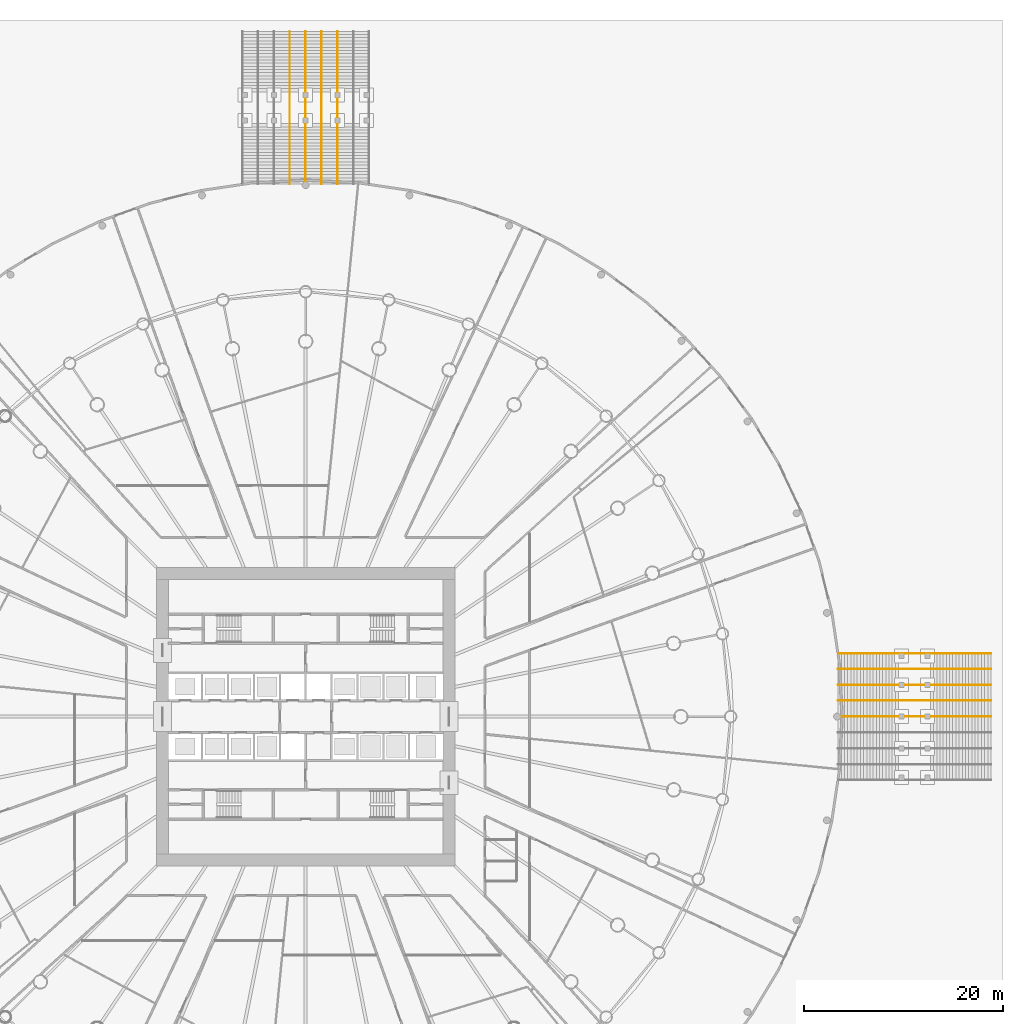
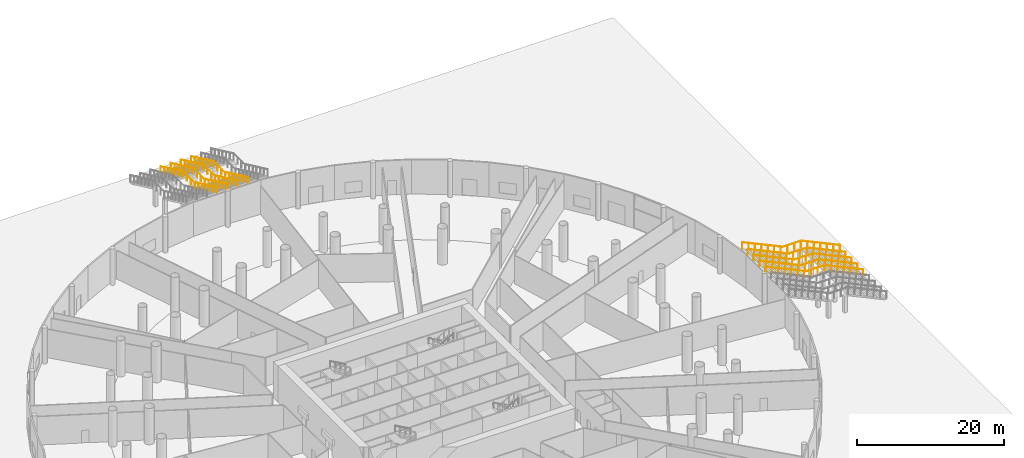
# One storey, part 31 of 33: 9 railings.
"""IFC4 building model written with IfcOpenShell, lengths in metres."""

from ifc_helpers import new_model, si_unit, direction, frame, origin, origin_2d, place, context, subcontext, project, spatial, circle, extrude, material, type_object, element, save


model = new_model("IFC4")

# Units and contexts
model_context = context("Model", 3, precision=1e-05, world=origin(), true_north=direction((0.0, 1.0)))
body_context = subcontext(model_context, "Body", "Model", "MODEL_VIEW")
ifc_project = project(units=[si_unit("LENGTHUNIT", "METRE"), si_unit("AREAUNIT", "SQUARE_METRE"), si_unit("VOLUMEUNIT", "CUBIC_METRE"), si_unit("PLANEANGLEUNIT", "RADIAN"), si_unit("MASSUNIT", "GRAM", prefix="KILO")], contexts=[model_context])

# Site, building, storey
site_placement = place(None, origin())
site = spatial("IfcSite", under=ifc_project, at=site_placement, CompositionType="ELEMENT")
building_placement = place(site_placement, origin())
building = spatial("IfcBuilding", under=site, at=building_placement, Name="Corvane Civic Tower", CompositionType="ELEMENT")
storey_placement = place(building_placement, origin())
storey = spatial("IfcBuildingStorey", under=building, at=storey_placement, Name="G", CompositionType="ELEMENT", Elevation=0.0)

# Railings
ifc_material_1 = material(Name="Steel ASTM A572 Gr 50", Category="steel")
railing_type_1 = type_object("IfcRailingType", Name="PODIUM-RL-GUARD-1100", PredefinedType="GUARDRAIL", material=ifc_material_1)
railing_1_placement = place(storey_placement, frame((68.860107421875, 6.35009765625, 0.14990234375)))
element("IfcRailing", 1, at=railing_1_placement, inside=storey, type_object=railing_type_1, Name="East stair right guard", PredefinedType="GUARDRAIL", context=body_context, shape_type="SweptSolid", body=[
    extrude(circle(Radius=0.02392578125, at=origin_2d()), frame((0.0, 0.0, 1.076171875), z_axis=(-0.905455442782, 0.0, 0.424441328262), x_axis=(0.0, -1.0, 0.0)), (0.0, 0.0, 1.0), 6.71484375),
    extrude(circle(Radius=0.02392578125, at=origin_2d()), frame((-6.080078125, 0.0, 3.92626953125), z_axis=(-1.0, 0.0, 0.0), x_axis=(0.0, -1.0, 0.0)), (0.0, 0.0, 1.0), 3.199951171875),
    extrude(circle(Radius=0.02392578125, at=origin_2d()), frame((-9.280029296875, 0.0, 3.92626953125), z_axis=(0.0, 0.0, 1.0), x_axis=(1.0, 0.0, 0.0)), (0.0, 0.0, 1.0), 0.14990234375),
    extrude(circle(Radius=0.02392578125, at=origin_2d()), frame((-9.280029296875, 0.0, 4.076171875), z_axis=(-0.905454092966, 0.0, 0.424444207796), x_axis=(0.0, -1.0, 0.0)), (0.0, 0.0, 1.0), 6.65966796875),
    extrude(circle(Radius=0.02099609375, at=origin_2d()), origin(), (0.0, 0.0, 1.0), 1.052001953125),
    extrude(circle(Radius=0.02099609375, at=origin_2d()), frame((-1.013427734375, 0.0, 0.47509765625)), (0.0, 0.0, 1.0), 1.052001953125),
    extrude(circle(Radius=0.02099609375, at=origin_2d()), frame((-2.026611328125, 0.0, 0.949951171875)), (0.0, 0.0, 1.0), 1.052001953125),
    extrude(circle(Radius=0.02099609375, at=origin_2d()), frame((-3.0400390625, 0.0, 1.425048828125)), (0.0, 0.0, 1.0), 1.052001953125),
    extrude(circle(Radius=0.02099609375, at=origin_2d()), frame((-4.053466796875, 0.0, 1.900146484375)), (0.0, 0.0, 1.0), 1.052001953125),
    extrude(circle(Radius=0.02099609375, at=origin_2d()), frame((-5.066650390625, 0.0, 2.375)), (0.0, 0.0, 1.0), 1.052001953125),
    extrude(circle(Radius=0.02099609375, at=origin_2d()), frame((-6.080078125, 0.0, 2.85009765625)), (0.0, 0.0, 1.0), 1.052001953125),
    extrude(circle(Radius=0.02099609375, at=origin_2d()), frame((-7.146728515625, 0.0, 2.85009765625)), (0.0, 0.0, 1.0), 1.052001953125),
    extrude(circle(Radius=0.02099609375, at=origin_2d()), frame((-8.21337890625, 0.0, 2.85009765625)), (0.0, 0.0, 1.0), 1.052001953125),
    extrude(circle(Radius=0.02099609375, at=origin_2d()), frame((-9.280029296875, 0.0, 2.85009765625)), (0.0, 0.0, 1.0), 1.052001953125),
    extrude(circle(Radius=0.02099609375, at=origin_2d()), frame((-9.280029296875, 0.0, 3.0)), (0.0, 0.0, 1.0), 1.052001953125),
    extrude(circle(Radius=0.02099609375, at=origin_2d()), frame((-10.28515625, 0.0, 3.47119140625)), (0.0, 0.0, 1.0), 1.052001953125),
    extrude(circle(Radius=0.02099609375, at=origin_2d()), frame((-11.2900390625, 0.0, 3.942138671875)), (0.0, 0.0, 1.0), 1.052001953125),
    extrude(circle(Radius=0.02099609375, at=origin_2d()), frame((-12.294921875, 0.0, 4.413330078125)), (0.0, 0.0, 1.0), 1.052001953125),
    extrude(circle(Radius=0.02099609375, at=origin_2d()), frame((-13.300048828125, 0.0, 4.884521484375)), (0.0, 0.0, 1.0), 1.052001953125),
    extrude(circle(Radius=0.02099609375, at=origin_2d()), frame((-14.30517578125, 0.0, 5.35546875)), (0.0, 0.0, 1.0), 1.052001953125),
    extrude(circle(Radius=0.02099609375, at=origin_2d()), frame((-15.31005859375, 0.0, 5.82666015625)), (0.0, 0.0, 1.0), 1.052001953125),
])
ifc_material_2 = material(Name="Steel ASTM A572 Gr 50", Category="steel")
railing_type_2 = type_object("IfcRailingType", Name="PODIUM-RL-HANDRAIL-900", PredefinedType="HANDRAIL", material=ifc_material_2)
railing_2_placement = place(storey_placement, frame((3.199951171875, 68.860107421875, 0.14990234375)))
element("IfcRailing", 2, at=railing_2_placement, inside=storey, type_object=railing_type_2, Name="North stair handrail 2", PredefinedType="HANDRAIL", context=body_context, shape_type="SweptSolid", body=[
    extrude(circle(Radius=0.02392578125, at=origin_2d()), frame((0.0, 0.0, 0.8759765625), z_axis=(0.0, -0.905455442782, 0.424441328262), x_axis=(1.0, 0.0, 0.0)), (0.0, 0.0, 1.0), 6.71484375),
    extrude(circle(Radius=0.02392578125, at=origin_2d()), frame((0.0, -6.080078125, 3.72607421875), z_axis=(0.0, -1.0, 0.0), x_axis=(1.0, 0.0, 0.0)), (0.0, 0.0, 1.0), 3.199951171875),
    extrude(circle(Radius=0.02392578125, at=origin_2d()), frame((0.0, -9.280029296875, 3.72607421875), z_axis=(0.0, 0.0, 1.0), x_axis=(1.0, 0.0, 0.0)), (0.0, 0.0, 1.0), 0.14990234375),
    extrude(circle(Radius=0.02392578125, at=origin_2d()), frame((0.0, -9.280029296875, 3.8759765625), z_axis=(0.0, -0.905455442782, 0.424441328262), x_axis=(1.0, 0.0, 0.0)), (0.0, 0.0, 1.0), 6.71484375),
    extrude(circle(Radius=0.02099609375, at=origin_2d()), origin(), (0.0, 0.0, 1.0), 0.851806640625),
    extrude(circle(Radius=0.02099609375, at=origin_2d()), frame((0.0, -1.013427734375, 0.47509765625)), (0.0, 0.0, 1.0), 0.851806640625),
    extrude(circle(Radius=0.02099609375, at=origin_2d()), frame((0.0, -2.026611328125, 0.949951171875)), (0.0, 0.0, 1.0), 0.851806640625),
    extrude(circle(Radius=0.02099609375, at=origin_2d()), frame((0.0, -3.0400390625, 1.425048828125)), (0.0, 0.0, 1.0), 0.851806640625),
    extrude(circle(Radius=0.02099609375, at=origin_2d()), frame((0.0, -4.053466796875, 1.900146484375)), (0.0, 0.0, 1.0), 0.851806640625),
    extrude(circle(Radius=0.02099609375, at=origin_2d()), frame((0.0, -5.066650390625, 2.375)), (0.0, 0.0, 1.0), 0.851806640625),
    extrude(circle(Radius=0.02099609375, at=origin_2d()), frame((0.0, -6.080078125, 2.85009765625)), (0.0, 0.0, 1.0), 0.851806640625),
    extrude(circle(Radius=0.02099609375, at=origin_2d()), frame((0.0, -7.146728515625, 2.85009765625)), (0.0, 0.0, 1.0), 0.851806640625),
    extrude(circle(Radius=0.02099609375, at=origin_2d()), frame((0.0, -8.21337890625, 2.85009765625)), (0.0, 0.0, 1.0), 0.851806640625),
    extrude(circle(Radius=0.02099609375, at=origin_2d()), frame((0.0, -9.280029296875, 2.85009765625)), (0.0, 0.0, 1.0), 0.851806640625),
    extrude(circle(Radius=0.02099609375, at=origin_2d()), frame((0.0, -9.280029296875, 3.0)), (0.0, 0.0, 1.0), 0.851806640625),
    extrude(circle(Radius=0.02099609375, at=origin_2d()), frame((0.0, -10.29345703125, 3.47509765625)), (0.0, 0.0, 1.0), 0.851806640625),
    extrude(circle(Radius=0.02099609375, at=origin_2d()), frame((0.0, -11.306640625, 3.949951171875)), (0.0, 0.0, 1.0), 0.851806640625),
    extrude(circle(Radius=0.02099609375, at=origin_2d()), frame((0.0, -12.320068359375, 4.425048828125)), (0.0, 0.0, 1.0), 0.851806640625),
    extrude(circle(Radius=0.02099609375, at=origin_2d()), frame((0.0, -13.33349609375, 4.900146484375)), (0.0, 0.0, 1.0), 0.851806640625),
    extrude(circle(Radius=0.02099609375, at=origin_2d()), frame((0.0, -14.3466796875, 5.375)), (0.0, 0.0, 1.0), 0.851806640625),
    extrude(circle(Radius=0.02099609375, at=origin_2d()), frame((0.0, -15.360107421875, 5.85009765625)), (0.0, 0.0, 1.0), 0.851806640625),
])
railing_3_placement = place(storey_placement, frame((1.60009765625, 68.860107421875, 0.14990234375)))
element("IfcRailing", 3, at=railing_3_placement, inside=storey, type_object=railing_type_2, Name="North stair handrail 3", PredefinedType="HANDRAIL", context=body_context, shape_type="SweptSolid", body=[
    extrude(circle(Radius=0.02392578125, at=origin_2d()), frame((0.0, 0.0, 0.8759765625), z_axis=(0.0, -0.905455442782, 0.424441328262), x_axis=(1.0, 0.0, 0.0)), (0.0, 0.0, 1.0), 6.71484375),
    extrude(circle(Radius=0.02392578125, at=origin_2d()), frame((0.0, -6.080078125, 3.72607421875), z_axis=(0.0, -1.0, 0.0), x_axis=(1.0, 0.0, 0.0)), (0.0, 0.0, 1.0), 3.199951171875),
    extrude(circle(Radius=0.02392578125, at=origin_2d()), frame((0.0, -9.280029296875, 3.72607421875), z_axis=(0.0, 0.0, 1.0), x_axis=(1.0, 0.0, 0.0)), (0.0, 0.0, 1.0), 0.14990234375),
    extrude(circle(Radius=0.02392578125, at=origin_2d()), frame((0.0, -9.280029296875, 3.8759765625), z_axis=(0.0, -0.905455442782, 0.424441328262), x_axis=(1.0, 0.0, 0.0)), (0.0, 0.0, 1.0), 6.71484375),
    extrude(circle(Radius=0.02099609375, at=origin_2d()), origin(), (0.0, 0.0, 1.0), 0.851806640625),
    extrude(circle(Radius=0.02099609375, at=origin_2d()), frame((0.0, -1.013427734375, 0.47509765625)), (0.0, 0.0, 1.0), 0.851806640625),
    extrude(circle(Radius=0.02099609375, at=origin_2d()), frame((0.0, -2.026611328125, 0.949951171875)), (0.0, 0.0, 1.0), 0.851806640625),
    extrude(circle(Radius=0.02099609375, at=origin_2d()), frame((0.0, -3.0400390625, 1.425048828125)), (0.0, 0.0, 1.0), 0.851806640625),
    extrude(circle(Radius=0.02099609375, at=origin_2d()), frame((0.0, -4.053466796875, 1.900146484375)), (0.0, 0.0, 1.0), 0.851806640625),
    extrude(circle(Radius=0.02099609375, at=origin_2d()), frame((0.0, -5.066650390625, 2.375)), (0.0, 0.0, 1.0), 0.851806640625),
    extrude(circle(Radius=0.02099609375, at=origin_2d()), frame((0.0, -6.080078125, 2.85009765625)), (0.0, 0.0, 1.0), 0.851806640625),
    extrude(circle(Radius=0.02099609375, at=origin_2d()), frame((0.0, -7.146728515625, 2.85009765625)), (0.0, 0.0, 1.0), 0.851806640625),
    extrude(circle(Radius=0.02099609375, at=origin_2d()), frame((0.0, -8.21337890625, 2.85009765625)), (0.0, 0.0, 1.0), 0.851806640625),
    extrude(circle(Radius=0.02099609375, at=origin_2d()), frame((0.0, -9.280029296875, 2.85009765625)), (0.0, 0.0, 1.0), 0.851806640625),
    extrude(circle(Radius=0.02099609375, at=origin_2d()), frame((0.0, -9.280029296875, 3.0)), (0.0, 0.0, 1.0), 0.851806640625),
    extrude(circle(Radius=0.02099609375, at=origin_2d()), frame((0.0, -10.29345703125, 3.47509765625)), (0.0, 0.0, 1.0), 0.851806640625),
    extrude(circle(Radius=0.02099609375, at=origin_2d()), frame((0.0, -11.306640625, 3.949951171875)), (0.0, 0.0, 1.0), 0.851806640625),
    extrude(circle(Radius=0.02099609375, at=origin_2d()), frame((0.0, -12.320068359375, 4.425048828125)), (0.0, 0.0, 1.0), 0.851806640625),
    extrude(circle(Radius=0.02099609375, at=origin_2d()), frame((0.0, -13.33349609375, 4.900146484375)), (0.0, 0.0, 1.0), 0.851806640625),
    extrude(circle(Radius=0.02099609375, at=origin_2d()), frame((0.0, -14.3466796875, 5.375)), (0.0, 0.0, 1.0), 0.851806640625),
    extrude(circle(Radius=0.02099609375, at=origin_2d()), frame((0.0, -15.360107421875, 5.85009765625)), (0.0, 0.0, 1.0), 0.851806640625),
])
railing_4_placement = place(storey_placement, frame((0.0, 68.860107421875, 0.14990234375)))
element("IfcRailing", 4, at=railing_4_placement, inside=storey, type_object=railing_type_2, Name="North stair handrail 4", PredefinedType="HANDRAIL", context=body_context, shape_type="SweptSolid", body=[
    extrude(circle(Radius=0.02392578125, at=origin_2d()), frame((0.0, 0.0, 0.8759765625), z_axis=(0.0, -0.905455442782, 0.424441328262), x_axis=(1.0, 0.0, 0.0)), (0.0, 0.0, 1.0), 6.71484375),
    extrude(circle(Radius=0.02392578125, at=origin_2d()), frame((0.0, -6.080078125, 3.72607421875), z_axis=(0.0, -1.0, 0.0), x_axis=(1.0, 0.0, 0.0)), (0.0, 0.0, 1.0), 3.199951171875),
    extrude(circle(Radius=0.02392578125, at=origin_2d()), frame((0.0, -9.280029296875, 3.72607421875), z_axis=(0.0, 0.0, 1.0), x_axis=(1.0, 0.0, 0.0)), (0.0, 0.0, 1.0), 0.14990234375),
    extrude(circle(Radius=0.02392578125, at=origin_2d()), frame((0.0, -9.280029296875, 3.8759765625), z_axis=(0.0, -0.905455442782, 0.424441328262), x_axis=(1.0, 0.0, 0.0)), (0.0, 0.0, 1.0), 6.71484375),
    extrude(circle(Radius=0.02099609375, at=origin_2d()), origin(), (0.0, 0.0, 1.0), 0.851806640625),
    extrude(circle(Radius=0.02099609375, at=origin_2d()), frame((0.0, -1.013427734375, 0.47509765625)), (0.0, 0.0, 1.0), 0.851806640625),
    extrude(circle(Radius=0.02099609375, at=origin_2d()), frame((0.0, -2.026611328125, 0.949951171875)), (0.0, 0.0, 1.0), 0.851806640625),
    extrude(circle(Radius=0.02099609375, at=origin_2d()), frame((0.0, -3.0400390625, 1.425048828125)), (0.0, 0.0, 1.0), 0.851806640625),
    extrude(circle(Radius=0.02099609375, at=origin_2d()), frame((0.0, -4.053466796875, 1.900146484375)), (0.0, 0.0, 1.0), 0.851806640625),
    extrude(circle(Radius=0.02099609375, at=origin_2d()), frame((0.0, -5.066650390625, 2.375)), (0.0, 0.0, 1.0), 0.851806640625),
    extrude(circle(Radius=0.02099609375, at=origin_2d()), frame((0.0, -6.080078125, 2.85009765625)), (0.0, 0.0, 1.0), 0.851806640625),
    extrude(circle(Radius=0.02099609375, at=origin_2d()), frame((0.0, -7.146728515625, 2.85009765625)), (0.0, 0.0, 1.0), 0.851806640625),
    extrude(circle(Radius=0.02099609375, at=origin_2d()), frame((0.0, -8.21337890625, 2.85009765625)), (0.0, 0.0, 1.0), 0.851806640625),
    extrude(circle(Radius=0.02099609375, at=origin_2d()), frame((0.0, -9.280029296875, 2.85009765625)), (0.0, 0.0, 1.0), 0.851806640625),
    extrude(circle(Radius=0.02099609375, at=origin_2d()), frame((0.0, -9.280029296875, 3.0)), (0.0, 0.0, 1.0), 0.851806640625),
    extrude(circle(Radius=0.02099609375, at=origin_2d()), frame((0.0, -10.29345703125, 3.47509765625)), (0.0, 0.0, 1.0), 0.851806640625),
    extrude(circle(Radius=0.02099609375, at=origin_2d()), frame((0.0, -11.306640625, 3.949951171875)), (0.0, 0.0, 1.0), 0.851806640625),
    extrude(circle(Radius=0.02099609375, at=origin_2d()), frame((0.0, -12.320068359375, 4.425048828125)), (0.0, 0.0, 1.0), 0.851806640625),
    extrude(circle(Radius=0.02099609375, at=origin_2d()), frame((0.0, -13.33349609375, 4.900146484375)), (0.0, 0.0, 1.0), 0.851806640625),
    extrude(circle(Radius=0.02099609375, at=origin_2d()), frame((0.0, -14.3466796875, 5.375)), (0.0, 0.0, 1.0), 0.851806640625),
    extrude(circle(Radius=0.02099609375, at=origin_2d()), frame((0.0, -15.360107421875, 5.85009765625)), (0.0, 0.0, 1.0), 0.851806640625),
])
railing_5_placement = place(storey_placement, frame((-1.60009765625, 68.860107421875, 0.14990234375)))
element("IfcRailing", 5, at=railing_5_placement, inside=storey, type_object=railing_type_2, Name="North stair handrail 5", PredefinedType="HANDRAIL", context=body_context, shape_type="SweptSolid", body=[
    extrude(circle(Radius=0.02392578125, at=origin_2d()), frame((0.0, 0.0, 0.8759765625), z_axis=(0.0, -0.905455442782, 0.424441328262), x_axis=(1.0, 0.0, 0.0)), (0.0, 0.0, 1.0), 6.71484375),
    extrude(circle(Radius=0.02392578125, at=origin_2d()), frame((0.0, -6.080078125, 3.72607421875), z_axis=(0.0, -1.0, 0.0), x_axis=(1.0, 0.0, 0.0)), (0.0, 0.0, 1.0), 3.199951171875),
    extrude(circle(Radius=0.02392578125, at=origin_2d()), frame((0.0, -9.280029296875, 3.72607421875), z_axis=(0.0, 0.0, 1.0), x_axis=(1.0, 0.0, 0.0)), (0.0, 0.0, 1.0), 0.14990234375),
    extrude(circle(Radius=0.02392578125, at=origin_2d()), frame((0.0, -9.280029296875, 3.8759765625), z_axis=(0.0, -0.905455442782, 0.424441328262), x_axis=(1.0, 0.0, 0.0)), (0.0, 0.0, 1.0), 6.71484375),
    extrude(circle(Radius=0.02099609375, at=origin_2d()), origin(), (0.0, 0.0, 1.0), 0.851806640625),
    extrude(circle(Radius=0.02099609375, at=origin_2d()), frame((0.0, -1.013427734375, 0.47509765625)), (0.0, 0.0, 1.0), 0.851806640625),
    extrude(circle(Radius=0.02099609375, at=origin_2d()), frame((0.0, -2.026611328125, 0.949951171875)), (0.0, 0.0, 1.0), 0.851806640625),
    extrude(circle(Radius=0.02099609375, at=origin_2d()), frame((0.0, -3.0400390625, 1.425048828125)), (0.0, 0.0, 1.0), 0.851806640625),
    extrude(circle(Radius=0.02099609375, at=origin_2d()), frame((0.0, -4.053466796875, 1.900146484375)), (0.0, 0.0, 1.0), 0.851806640625),
    extrude(circle(Radius=0.02099609375, at=origin_2d()), frame((0.0, -5.066650390625, 2.375)), (0.0, 0.0, 1.0), 0.851806640625),
    extrude(circle(Radius=0.02099609375, at=origin_2d()), frame((0.0, -6.080078125, 2.85009765625)), (0.0, 0.0, 1.0), 0.851806640625),
    extrude(circle(Radius=0.02099609375, at=origin_2d()), frame((0.0, -7.146728515625, 2.85009765625)), (0.0, 0.0, 1.0), 0.851806640625),
    extrude(circle(Radius=0.02099609375, at=origin_2d()), frame((0.0, -8.21337890625, 2.85009765625)), (0.0, 0.0, 1.0), 0.851806640625),
    extrude(circle(Radius=0.02099609375, at=origin_2d()), frame((0.0, -9.280029296875, 2.85009765625)), (0.0, 0.0, 1.0), 0.851806640625),
    extrude(circle(Radius=0.02099609375, at=origin_2d()), frame((0.0, -9.280029296875, 3.0)), (0.0, 0.0, 1.0), 0.851806640625),
    extrude(circle(Radius=0.02099609375, at=origin_2d()), frame((0.0, -10.29345703125, 3.47509765625)), (0.0, 0.0, 1.0), 0.851806640625),
    extrude(circle(Radius=0.02099609375, at=origin_2d()), frame((0.0, -11.306640625, 3.949951171875)), (0.0, 0.0, 1.0), 0.851806640625),
    extrude(circle(Radius=0.02099609375, at=origin_2d()), frame((0.0, -12.320068359375, 4.425048828125)), (0.0, 0.0, 1.0), 0.851806640625),
    extrude(circle(Radius=0.02099609375, at=origin_2d()), frame((0.0, -13.33349609375, 4.900146484375)), (0.0, 0.0, 1.0), 0.851806640625),
    extrude(circle(Radius=0.02099609375, at=origin_2d()), frame((0.0, -14.3466796875, 5.375)), (0.0, 0.0, 1.0), 0.851806640625),
    extrude(circle(Radius=0.02099609375, at=origin_2d()), frame((0.0, -15.360107421875, 5.85009765625)), (0.0, 0.0, 1.0), 0.851806640625),
])
railing_6_placement = place(storey_placement, frame((68.860107421875, 0.0, 0.14990234375)))
element("IfcRailing", 6, at=railing_6_placement, inside=storey, type_object=railing_type_2, Name="East stair handrail 4", PredefinedType="HANDRAIL", context=body_context, shape_type="SweptSolid", body=[
    extrude(circle(Radius=0.02392578125, at=origin_2d()), frame((0.0, 0.0, 0.8759765625), z_axis=(-0.905455442782, 0.0, 0.424441328262), x_axis=(0.0, -1.0, 0.0)), (0.0, 0.0, 1.0), 6.71484375),
    extrude(circle(Radius=0.02392578125, at=origin_2d()), frame((-6.080078125, 0.0, 3.72607421875), z_axis=(-1.0, 0.0, 0.0), x_axis=(0.0, -1.0, 0.0)), (0.0, 0.0, 1.0), 3.199951171875),
    extrude(circle(Radius=0.02392578125, at=origin_2d()), frame((-9.280029296875, 0.0, 3.72607421875), z_axis=(0.0, 0.0, 1.0), x_axis=(1.0, 0.0, 0.0)), (0.0, 0.0, 1.0), 0.14990234375),
    extrude(circle(Radius=0.02392578125, at=origin_2d()), frame((-9.280029296875, 0.0, 3.8759765625), z_axis=(-0.905455442782, 0.0, 0.424441328262), x_axis=(0.0, -1.0, 0.0)), (0.0, 0.0, 1.0), 6.71484375),
    extrude(circle(Radius=0.02099609375, at=origin_2d()), origin(), (0.0, 0.0, 1.0), 0.851806640625),
    extrude(circle(Radius=0.02099609375, at=origin_2d()), frame((-1.013427734375, 0.0, 0.47509765625)), (0.0, 0.0, 1.0), 0.851806640625),
    extrude(circle(Radius=0.02099609375, at=origin_2d()), frame((-2.026611328125, 0.0, 0.949951171875)), (0.0, 0.0, 1.0), 0.851806640625),
    extrude(circle(Radius=0.02099609375, at=origin_2d()), frame((-3.0400390625, 0.0, 1.425048828125)), (0.0, 0.0, 1.0), 0.851806640625),
    extrude(circle(Radius=0.02099609375, at=origin_2d()), frame((-4.053466796875, 0.0, 1.900146484375)), (0.0, 0.0, 1.0), 0.851806640625),
    extrude(circle(Radius=0.02099609375, at=origin_2d()), frame((-5.066650390625, 0.0, 2.375)), (0.0, 0.0, 1.0), 0.851806640625),
    extrude(circle(Radius=0.02099609375, at=origin_2d()), frame((-6.080078125, 0.0, 2.85009765625)), (0.0, 0.0, 1.0), 0.851806640625),
    extrude(circle(Radius=0.02099609375, at=origin_2d()), frame((-7.146728515625, 0.0, 2.85009765625)), (0.0, 0.0, 1.0), 0.851806640625),
    extrude(circle(Radius=0.02099609375, at=origin_2d()), frame((-8.21337890625, 0.0, 2.85009765625)), (0.0, 0.0, 1.0), 0.851806640625),
    extrude(circle(Radius=0.02099609375, at=origin_2d()), frame((-9.280029296875, 0.0, 2.85009765625)), (0.0, 0.0, 1.0), 0.851806640625),
    extrude(circle(Radius=0.02099609375, at=origin_2d()), frame((-9.280029296875, 0.0, 3.0)), (0.0, 0.0, 1.0), 0.851806640625),
    extrude(circle(Radius=0.02099609375, at=origin_2d()), frame((-10.29345703125, 0.0, 3.47509765625)), (0.0, 0.0, 1.0), 0.851806640625),
    extrude(circle(Radius=0.02099609375, at=origin_2d()), frame((-11.306640625, 0.0, 3.949951171875)), (0.0, 0.0, 1.0), 0.851806640625),
    extrude(circle(Radius=0.02099609375, at=origin_2d()), frame((-12.320068359375, 0.0, 4.425048828125)), (0.0, 0.0, 1.0), 0.851806640625),
    extrude(circle(Radius=0.02099609375, at=origin_2d()), frame((-13.33349609375, 0.0, 4.900146484375)), (0.0, 0.0, 1.0), 0.851806640625),
    extrude(circle(Radius=0.02099609375, at=origin_2d()), frame((-14.3466796875, 0.0, 5.375)), (0.0, 0.0, 1.0), 0.851806640625),
    extrude(circle(Radius=0.02099609375, at=origin_2d()), frame((-15.360107421875, 0.0, 5.85009765625)), (0.0, 0.0, 1.0), 0.851806640625),
])
railing_7_placement = place(storey_placement, frame((68.860107421875, 1.60009765625, 0.14990234375)))
element("IfcRailing", 7, at=railing_7_placement, inside=storey, type_object=railing_type_2, Name="East stair handrail 5", PredefinedType="HANDRAIL", context=body_context, shape_type="SweptSolid", body=[
    extrude(circle(Radius=0.02392578125, at=origin_2d()), frame((0.0, 0.0, 0.8759765625), z_axis=(-0.905455442782, 0.0, 0.424441328262), x_axis=(0.0, -1.0, 0.0)), (0.0, 0.0, 1.0), 6.71484375),
    extrude(circle(Radius=0.02392578125, at=origin_2d()), frame((-6.080078125, 0.0, 3.72607421875), z_axis=(-1.0, 0.0, 0.0), x_axis=(0.0, -1.0, 0.0)), (0.0, 0.0, 1.0), 3.199951171875),
    extrude(circle(Radius=0.02392578125, at=origin_2d()), frame((-9.280029296875, 0.0, 3.72607421875), z_axis=(0.0, 0.0, 1.0), x_axis=(1.0, 0.0, 0.0)), (0.0, 0.0, 1.0), 0.14990234375),
    extrude(circle(Radius=0.02392578125, at=origin_2d()), frame((-9.280029296875, 0.0, 3.8759765625), z_axis=(-0.905455442782, 0.0, 0.424441328262), x_axis=(0.0, -1.0, 0.0)), (0.0, 0.0, 1.0), 6.71484375),
    extrude(circle(Radius=0.02099609375, at=origin_2d()), origin(), (0.0, 0.0, 1.0), 0.851806640625),
    extrude(circle(Radius=0.02099609375, at=origin_2d()), frame((-1.013427734375, 0.0, 0.47509765625)), (0.0, 0.0, 1.0), 0.851806640625),
    extrude(circle(Radius=0.02099609375, at=origin_2d()), frame((-2.026611328125, 0.0, 0.949951171875)), (0.0, 0.0, 1.0), 0.851806640625),
    extrude(circle(Radius=0.02099609375, at=origin_2d()), frame((-3.0400390625, 0.0, 1.425048828125)), (0.0, 0.0, 1.0), 0.851806640625),
    extrude(circle(Radius=0.02099609375, at=origin_2d()), frame((-4.053466796875, 0.0, 1.900146484375)), (0.0, 0.0, 1.0), 0.851806640625),
    extrude(circle(Radius=0.02099609375, at=origin_2d()), frame((-5.066650390625, 0.0, 2.375)), (0.0, 0.0, 1.0), 0.851806640625),
    extrude(circle(Radius=0.02099609375, at=origin_2d()), frame((-6.080078125, 0.0, 2.85009765625)), (0.0, 0.0, 1.0), 0.851806640625),
    extrude(circle(Radius=0.02099609375, at=origin_2d()), frame((-7.146728515625, 0.0, 2.85009765625)), (0.0, 0.0, 1.0), 0.851806640625),
    extrude(circle(Radius=0.02099609375, at=origin_2d()), frame((-8.21337890625, 0.0, 2.85009765625)), (0.0, 0.0, 1.0), 0.851806640625),
    extrude(circle(Radius=0.02099609375, at=origin_2d()), frame((-9.280029296875, 0.0, 2.85009765625)), (0.0, 0.0, 1.0), 0.851806640625),
    extrude(circle(Radius=0.02099609375, at=origin_2d()), frame((-9.280029296875, 0.0, 3.0)), (0.0, 0.0, 1.0), 0.851806640625),
    extrude(circle(Radius=0.02099609375, at=origin_2d()), frame((-10.29345703125, 0.0, 3.47509765625)), (0.0, 0.0, 1.0), 0.851806640625),
    extrude(circle(Radius=0.02099609375, at=origin_2d()), frame((-11.306640625, 0.0, 3.949951171875)), (0.0, 0.0, 1.0), 0.851806640625),
    extrude(circle(Radius=0.02099609375, at=origin_2d()), frame((-12.320068359375, 0.0, 4.425048828125)), (0.0, 0.0, 1.0), 0.851806640625),
    extrude(circle(Radius=0.02099609375, at=origin_2d()), frame((-13.33349609375, 0.0, 4.900146484375)), (0.0, 0.0, 1.0), 0.851806640625),
    extrude(circle(Radius=0.02099609375, at=origin_2d()), frame((-14.3466796875, 0.0, 5.375)), (0.0, 0.0, 1.0), 0.851806640625),
    extrude(circle(Radius=0.02099609375, at=origin_2d()), frame((-15.360107421875, 0.0, 5.85009765625)), (0.0, 0.0, 1.0), 0.851806640625),
])
railing_8_placement = place(storey_placement, frame((68.860107421875, 3.199951171875, 0.14990234375)))
element("IfcRailing", 8, at=railing_8_placement, inside=storey, type_object=railing_type_2, Name="East stair handrail 6", PredefinedType="HANDRAIL", context=body_context, shape_type="SweptSolid", body=[
    extrude(circle(Radius=0.02392578125, at=origin_2d()), frame((0.0, 0.0, 0.8759765625), z_axis=(-0.905455442782, 0.0, 0.424441328262), x_axis=(0.0, -1.0, 0.0)), (0.0, 0.0, 1.0), 6.71484375),
    extrude(circle(Radius=0.02392578125, at=origin_2d()), frame((-6.080078125, 0.0, 3.72607421875), z_axis=(-1.0, 0.0, 0.0), x_axis=(0.0, -1.0, 0.0)), (0.0, 0.0, 1.0), 3.199951171875),
    extrude(circle(Radius=0.02392578125, at=origin_2d()), frame((-9.280029296875, 0.0, 3.72607421875), z_axis=(0.0, 0.0, 1.0), x_axis=(1.0, 0.0, 0.0)), (0.0, 0.0, 1.0), 0.14990234375),
    extrude(circle(Radius=0.02392578125, at=origin_2d()), frame((-9.280029296875, 0.0, 3.8759765625), z_axis=(-0.905455442782, 0.0, 0.424441328262), x_axis=(0.0, -1.0, 0.0)), (0.0, 0.0, 1.0), 6.71484375),
    extrude(circle(Radius=0.02099609375, at=origin_2d()), origin(), (0.0, 0.0, 1.0), 0.851806640625),
    extrude(circle(Radius=0.02099609375, at=origin_2d()), frame((-1.013427734375, 0.0, 0.47509765625)), (0.0, 0.0, 1.0), 0.851806640625),
    extrude(circle(Radius=0.02099609375, at=origin_2d()), frame((-2.026611328125, 0.0, 0.949951171875)), (0.0, 0.0, 1.0), 0.851806640625),
    extrude(circle(Radius=0.02099609375, at=origin_2d()), frame((-3.0400390625, 0.0, 1.425048828125)), (0.0, 0.0, 1.0), 0.851806640625),
    extrude(circle(Radius=0.02099609375, at=origin_2d()), frame((-4.053466796875, 0.0, 1.900146484375)), (0.0, 0.0, 1.0), 0.851806640625),
    extrude(circle(Radius=0.02099609375, at=origin_2d()), frame((-5.066650390625, 0.0, 2.375)), (0.0, 0.0, 1.0), 0.851806640625),
    extrude(circle(Radius=0.02099609375, at=origin_2d()), frame((-6.080078125, 0.0, 2.85009765625)), (0.0, 0.0, 1.0), 0.851806640625),
    extrude(circle(Radius=0.02099609375, at=origin_2d()), frame((-7.146728515625, 0.0, 2.85009765625)), (0.0, 0.0, 1.0), 0.851806640625),
    extrude(circle(Radius=0.02099609375, at=origin_2d()), frame((-8.21337890625, 0.0, 2.85009765625)), (0.0, 0.0, 1.0), 0.851806640625),
    extrude(circle(Radius=0.02099609375, at=origin_2d()), frame((-9.280029296875, 0.0, 2.85009765625)), (0.0, 0.0, 1.0), 0.851806640625),
    extrude(circle(Radius=0.02099609375, at=origin_2d()), frame((-9.280029296875, 0.0, 3.0)), (0.0, 0.0, 1.0), 0.851806640625),
    extrude(circle(Radius=0.02099609375, at=origin_2d()), frame((-10.29345703125, 0.0, 3.47509765625)), (0.0, 0.0, 1.0), 0.851806640625),
    extrude(circle(Radius=0.02099609375, at=origin_2d()), frame((-11.306640625, 0.0, 3.949951171875)), (0.0, 0.0, 1.0), 0.851806640625),
    extrude(circle(Radius=0.02099609375, at=origin_2d()), frame((-12.320068359375, 0.0, 4.425048828125)), (0.0, 0.0, 1.0), 0.851806640625),
    extrude(circle(Radius=0.02099609375, at=origin_2d()), frame((-13.33349609375, 0.0, 4.900146484375)), (0.0, 0.0, 1.0), 0.851806640625),
    extrude(circle(Radius=0.02099609375, at=origin_2d()), frame((-14.3466796875, 0.0, 5.375)), (0.0, 0.0, 1.0), 0.851806640625),
    extrude(circle(Radius=0.02099609375, at=origin_2d()), frame((-15.360107421875, 0.0, 5.85009765625)), (0.0, 0.0, 1.0), 0.851806640625),
])
railing_9_placement = place(storey_placement, frame((68.860107421875, 4.800048828125, 0.14990234375)))
element("IfcRailing", 9, at=railing_9_placement, inside=storey, type_object=railing_type_2, Name="East stair handrail 7", PredefinedType="HANDRAIL", context=body_context, shape_type="SweptSolid", body=[
    extrude(circle(Radius=0.02392578125, at=origin_2d()), frame((0.0, 0.0, 0.8759765625), z_axis=(-0.905455442782, 0.0, 0.424441328262), x_axis=(0.0, -1.0, 0.0)), (0.0, 0.0, 1.0), 6.71484375),
    extrude(circle(Radius=0.02392578125, at=origin_2d()), frame((-6.080078125, 0.0, 3.72607421875), z_axis=(-1.0, 0.0, 0.0), x_axis=(0.0, -1.0, 0.0)), (0.0, 0.0, 1.0), 3.199951171875),
    extrude(circle(Radius=0.02392578125, at=origin_2d()), frame((-9.280029296875, 0.0, 3.72607421875), z_axis=(0.0, 0.0, 1.0), x_axis=(1.0, 0.0, 0.0)), (0.0, 0.0, 1.0), 0.14990234375),
    extrude(circle(Radius=0.02392578125, at=origin_2d()), frame((-9.280029296875, 0.0, 3.8759765625), z_axis=(-0.905455442782, 0.0, 0.424441328262), x_axis=(0.0, -1.0, 0.0)), (0.0, 0.0, 1.0), 6.71484375),
    extrude(circle(Radius=0.02099609375, at=origin_2d()), origin(), (0.0, 0.0, 1.0), 0.851806640625),
    extrude(circle(Radius=0.02099609375, at=origin_2d()), frame((-1.013427734375, 0.0, 0.47509765625)), (0.0, 0.0, 1.0), 0.851806640625),
    extrude(circle(Radius=0.02099609375, at=origin_2d()), frame((-2.026611328125, 0.0, 0.949951171875)), (0.0, 0.0, 1.0), 0.851806640625),
    extrude(circle(Radius=0.02099609375, at=origin_2d()), frame((-3.0400390625, 0.0, 1.425048828125)), (0.0, 0.0, 1.0), 0.851806640625),
    extrude(circle(Radius=0.02099609375, at=origin_2d()), frame((-4.053466796875, 0.0, 1.900146484375)), (0.0, 0.0, 1.0), 0.851806640625),
    extrude(circle(Radius=0.02099609375, at=origin_2d()), frame((-5.066650390625, 0.0, 2.375)), (0.0, 0.0, 1.0), 0.851806640625),
    extrude(circle(Radius=0.02099609375, at=origin_2d()), frame((-6.080078125, 0.0, 2.85009765625)), (0.0, 0.0, 1.0), 0.851806640625),
    extrude(circle(Radius=0.02099609375, at=origin_2d()), frame((-7.146728515625, 0.0, 2.85009765625)), (0.0, 0.0, 1.0), 0.851806640625),
    extrude(circle(Radius=0.02099609375, at=origin_2d()), frame((-8.21337890625, 0.0, 2.85009765625)), (0.0, 0.0, 1.0), 0.851806640625),
    extrude(circle(Radius=0.02099609375, at=origin_2d()), frame((-9.280029296875, 0.0, 2.85009765625)), (0.0, 0.0, 1.0), 0.851806640625),
    extrude(circle(Radius=0.02099609375, at=origin_2d()), frame((-9.280029296875, 0.0, 3.0)), (0.0, 0.0, 1.0), 0.851806640625),
    extrude(circle(Radius=0.02099609375, at=origin_2d()), frame((-10.29345703125, 0.0, 3.47509765625)), (0.0, 0.0, 1.0), 0.851806640625),
    extrude(circle(Radius=0.02099609375, at=origin_2d()), frame((-11.306640625, 0.0, 3.949951171875)), (0.0, 0.0, 1.0), 0.851806640625),
    extrude(circle(Radius=0.02099609375, at=origin_2d()), frame((-12.320068359375, 0.0, 4.425048828125)), (0.0, 0.0, 1.0), 0.851806640625),
    extrude(circle(Radius=0.02099609375, at=origin_2d()), frame((-13.33349609375, 0.0, 4.900146484375)), (0.0, 0.0, 1.0), 0.851806640625),
    extrude(circle(Radius=0.02099609375, at=origin_2d()), frame((-14.3466796875, 0.0, 5.375)), (0.0, 0.0, 1.0), 0.851806640625),
    extrude(circle(Radius=0.02099609375, at=origin_2d()), frame((-15.360107421875, 0.0, 5.85009765625)), (0.0, 0.0, 1.0), 0.851806640625),
])

save(model, "model.ifc")
